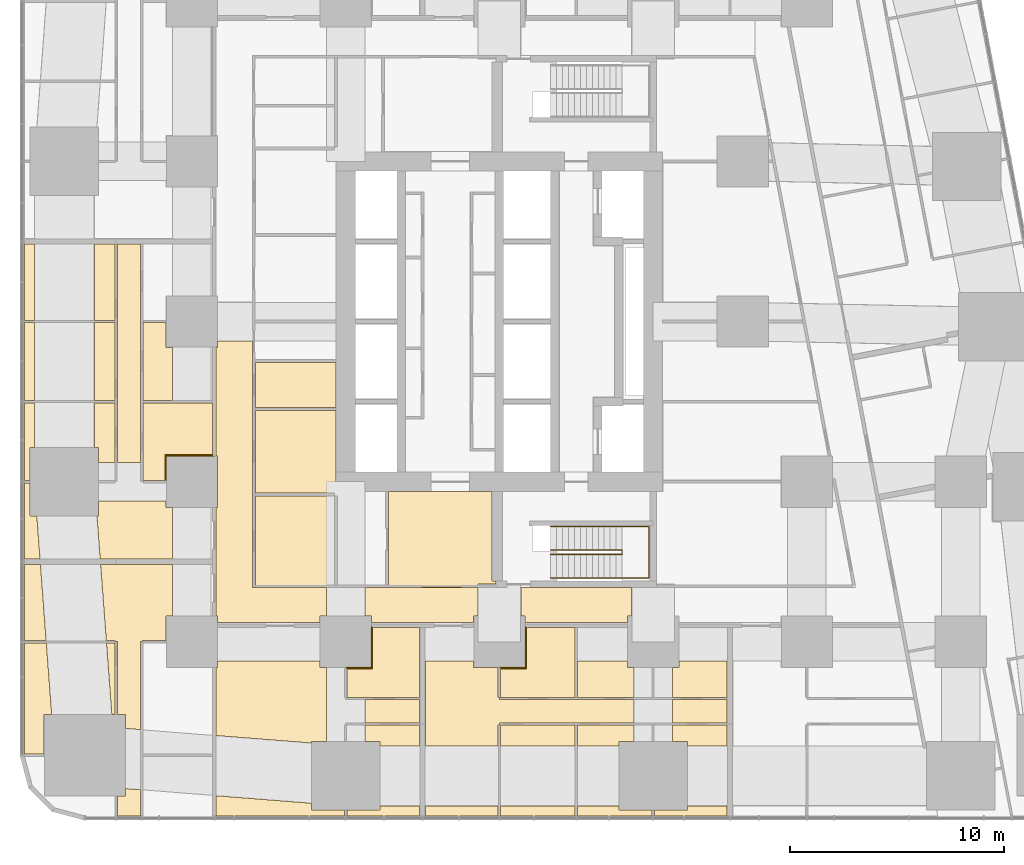
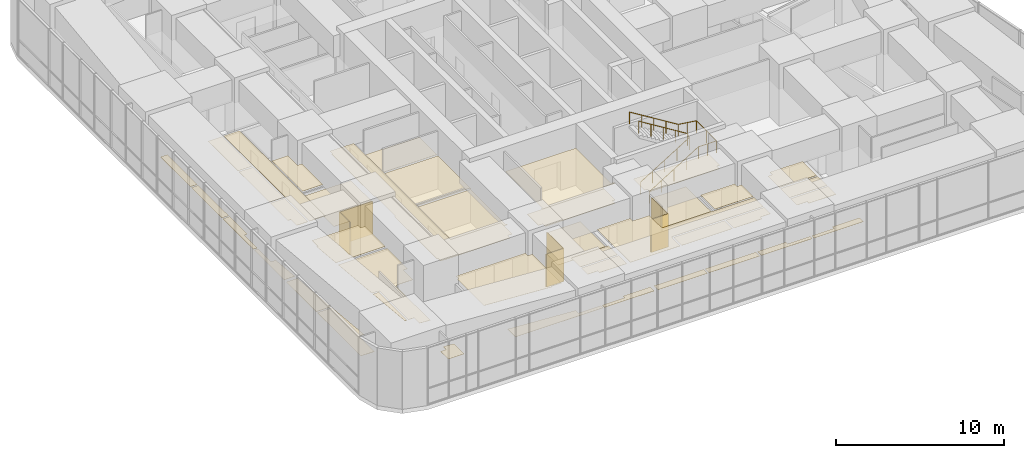
# One storey, part 21 of 23: 44 coverings, 2 railings.
"""IFC4 building model written with IfcOpenShell, lengths in metres."""

from ifc_helpers import new_model, si_unit, direction, frame, origin, origin_2d, place, context, subcontext, project, spatial, polyline, circle, outline, extrude, material, layer, layer_set, type_object, element, save


model = new_model("IFC4")

# Units and contexts
model_context = context("Model", 3, precision=1e-05, world=origin(), true_north=direction((0.0, 1.0)))
body_context = subcontext(model_context, "Body", "Model", "MODEL_VIEW")
ifc_project = project(units=[si_unit("LENGTHUNIT", "METRE"), si_unit("AREAUNIT", "SQUARE_METRE"), si_unit("VOLUMEUNIT", "CUBIC_METRE"), si_unit("PLANEANGLEUNIT", "RADIAN"), si_unit("MASSUNIT", "GRAM", prefix="KILO")], contexts=[model_context])

# Site, building, storey
site_placement = place(None, origin())
site = spatial("IfcSite", under=ifc_project, at=site_placement, CompositionType="ELEMENT")
building_placement = place(site_placement, origin())
building = spatial("IfcBuilding", under=site, at=building_placement, Name="Sheger Commons Tower", CompositionType="ELEMENT")
storey_placement = place(building_placement, frame((0.0, 0.0, 5.60009765625)))
storey = spatial("IfcBuildingStorey", under=building, at=storey_placement, Name="L01", CompositionType="ELEMENT", Elevation=5.60009765625)

# Railings
ifc_material_1 = material(Name="Steel handrail, black powder-coated", Category="steel")
railing_type = type_object("IfcRailingType", Name="HANDRAIL 900", PredefinedType="HANDRAIL", material=ifc_material_1)
railing_1_placement = place(storey_placement, frame((23.989990234375, 11.60009765625, 0.173095703125)))
element("IfcRailing", 1, at=railing_1_placement, inside=storey, type_object=railing_type, Name="Stair S1 handrail L01", PredefinedType="HANDRAIL", context=body_context, shape_type="SweptSolid", body=[
    extrude(circle(Radius=0.02392578125, at=origin_2d()), frame((0.0, 0.0, 0.8759765625), z_axis=(0.850623216509, 0.0, 0.525775754039), x_axis=(0.0, 1.0, 0.0)), (0.0, 0.0, 1.0), 3.9501953125),
    extrude(circle(Radius=0.02392578125, at=origin_2d()), frame((3.360107421875, 0.0, 2.95263671875), z_axis=(0.0, 0.756054473674, 0.654508695769), x_axis=(-1.0, 0.0, 0.0)), (0.0, 0.0, 1.0), 0.264404296875),
    extrude(circle(Radius=0.02392578125, at=origin_2d()), frame((3.360107421875, 0.199951171875, 3.1259765625), z_axis=(-0.850623216509, 0.0, 0.525775754039), x_axis=(0.0, -1.0, 0.0)), (0.0, 0.0, 1.0), 3.9501953125),
    extrude(circle(Radius=0.02099609375, at=origin_2d()), origin(), (0.0, 0.0, 1.0), 0.851806640625),
    extrude(circle(Radius=0.02099609375, at=origin_2d()), frame((0.840087890625, 0.0, 0.519287109375)), (0.0, 0.0, 1.0), 0.851806640625),
    extrude(circle(Radius=0.02099609375, at=origin_2d()), frame((1.68017578125, 0.0, 1.03857421875)), (0.0, 0.0, 1.0), 0.851806640625),
    extrude(circle(Radius=0.02099609375, at=origin_2d()), frame((2.52001953125, 0.0, 1.5576171875)), (0.0, 0.0, 1.0), 0.851806640625),
    extrude(circle(Radius=0.02099609375, at=origin_2d()), frame((3.360107421875, 0.0, 2.076904296875)), (0.0, 0.0, 1.0), 0.851806640625),
    extrude(circle(Radius=0.02099609375, at=origin_2d()), frame((3.360107421875, 0.199951171875, 2.25)), (0.0, 0.0, 1.0), 0.851806640625),
    extrude(circle(Radius=0.02099609375, at=origin_2d()), frame((2.52001953125, 0.199951171875, 2.769287109375)), (0.0, 0.0, 1.0), 0.851806640625),
    extrude(circle(Radius=0.02099609375, at=origin_2d()), frame((1.68017578125, 0.199951171875, 3.28857421875)), (0.0, 0.0, 1.0), 0.851806640625),
    extrude(circle(Radius=0.02099609375, at=origin_2d()), frame((0.840087890625, 0.199951171875, 3.8076171875)), (0.0, 0.0, 1.0), 0.851806640625),
    extrude(circle(Radius=0.02099609375, at=origin_2d()), frame((0.0, 0.199951171875, 4.326904296875)), (0.0, 0.0, 1.0), 0.851806640625),
])
railing_2_placement = place(storey_placement, frame((23.989990234375, 10.5, 0.173095703125)))
element("IfcRailing", 2, at=railing_2_placement, inside=storey, type_object=railing_type, Name="Stair S1 handrail L01", PredefinedType="HANDRAIL", context=body_context, shape_type="SweptSolid", body=[
    extrude(circle(Radius=0.02392578125, at=origin_2d()), frame((0.0, 0.0, 0.8759765625), z_axis=(0.850623216509, 0.0, 0.525775754039), x_axis=(0.0, 1.0, 0.0)), (0.0, 0.0, 1.0), 3.9501953125),
    extrude(circle(Radius=0.02392578125, at=origin_2d()), frame((3.360107421875, 0.0, 2.95263671875), z_axis=(1.0, 0.0, 0.0), x_axis=(0.0, 1.0, 0.0)), (0.0, 0.0, 1.0), 1.25),
    extrude(circle(Radius=0.02392578125, at=origin_2d()), frame((4.610107421875, 0.0, 2.95263671875), z_axis=(0.0, 1.0, 0.0), x_axis=(-1.0, 0.0, 0.0)), (0.0, 0.0, 1.0), 2.39990234375),
    extrude(circle(Radius=0.02392578125, at=origin_2d()), frame((4.610107421875, 2.39990234375, 2.95263671875), z_axis=(-0.990547844832, 0.0, 0.137167660544), x_axis=(0.0, -1.0, 0.0)), (0.0, 0.0, 1.0), 1.261962890625),
    extrude(circle(Radius=0.02392578125, at=origin_2d()), frame((3.360107421875, 2.39990234375, 3.1259765625), z_axis=(-0.850623216509, 0.0, 0.525775754039), x_axis=(0.0, -1.0, 0.0)), (0.0, 0.0, 1.0), 3.9501953125),
    extrude(circle(Radius=0.02099609375, at=origin_2d()), origin(), (0.0, 0.0, 1.0), 0.851806640625),
    extrude(circle(Radius=0.02099609375, at=origin_2d()), frame((0.840087890625, 0.0, 0.519287109375)), (0.0, 0.0, 1.0), 0.851806640625),
    extrude(circle(Radius=0.02099609375, at=origin_2d()), frame((1.68017578125, 0.0, 1.03857421875)), (0.0, 0.0, 1.0), 0.851806640625),
    extrude(circle(Radius=0.02099609375, at=origin_2d()), frame((2.52001953125, 0.0, 1.5576171875)), (0.0, 0.0, 1.0), 0.851806640625),
    extrude(circle(Radius=0.02099609375, at=origin_2d()), frame((3.360107421875, 0.0, 2.076904296875)), (0.0, 0.0, 1.0), 0.851806640625),
    extrude(circle(Radius=0.02099609375, at=origin_2d()), frame((3.985107421875, 0.0, 2.076904296875)), (0.0, 0.0, 1.0), 0.851806640625),
    extrude(circle(Radius=0.02099609375, at=origin_2d()), frame((4.610107421875, 0.0, 2.076904296875)), (0.0, 0.0, 1.0), 0.851806640625),
    extrude(circle(Radius=0.02099609375, at=origin_2d()), frame((4.610107421875, 1.199951171875, 2.076904296875)), (0.0, 0.0, 1.0), 0.851806640625),
    extrude(circle(Radius=0.02099609375, at=origin_2d()), frame((4.610107421875, 2.39990234375, 2.076904296875)), (0.0, 0.0, 1.0), 0.851806640625),
    extrude(circle(Radius=0.02099609375, at=origin_2d()), frame((3.985107421875, 2.39990234375, 2.16357421875)), (0.0, 0.0, 1.0), 0.851806640625),
    extrude(circle(Radius=0.02099609375, at=origin_2d()), frame((3.360107421875, 2.39990234375, 2.25)), (0.0, 0.0, 1.0), 0.851806640625),
    extrude(circle(Radius=0.02099609375, at=origin_2d()), frame((2.52001953125, 2.39990234375, 2.769287109375)), (0.0, 0.0, 1.0), 0.851806640625),
    extrude(circle(Radius=0.02099609375, at=origin_2d()), frame((1.68017578125, 2.39990234375, 3.28857421875)), (0.0, 0.0, 1.0), 0.851806640625),
    extrude(circle(Radius=0.02099609375, at=origin_2d()), frame((0.840087890625, 2.39990234375, 3.8076171875)), (0.0, 0.0, 1.0), 0.851806640625),
    extrude(circle(Radius=0.02099609375, at=origin_2d()), frame((0.0, 2.39990234375, 4.326904296875)), (0.0, 0.0, 1.0), 0.851806640625),
])

# Coverings
ifc_material_2 = material(Name="Moisture-resistant gypsum plasterboard 15 mm on a suspended galvanised steel grid", Category="steel")
ifc_layer_1 = layer(ifc_material_2, 0.014892578125)
ifc_layer_set_1 = layer_set([ifc_layer_1], Name="MOISTURE-RESISTANT CEILING 15")
covering_type_1 = type_object("IfcCoveringType", Name="MOISTURE-RESISTANT CEILING 15", PredefinedType="CEILING", material=ifc_layer_set_1)
covering_1_placement = place(storey_placement, frame((0.0, 0.0, 2.39990234375)))
element("IfcCovering", 3, at=covering_1_placement, inside=storey, type_object=covering_type_1, Name="L01-02.B1 ceiling", PredefinedType="CEILING", context=body_context, shape_type="SweptSolid", body=[
    extrude(outline(polyline([(4.905029296875, 15.054931640625), (5.9951171875, 15.054931640625), (5.9951171875, 16.205078125), (8.169921875, 16.205078125), (8.169921875, 18.695068359375), (4.905029296875, 18.695068359375), (4.905029296875, 15.054931640625)])), origin(), (0.0, 0.0, 1.0), 0.014892578125),
])
covering_2_placement = place(storey_placement, frame((0.0, 0.0, 2.39990234375)))
element("IfcCovering", 4, at=covering_2_placement, inside=storey, type_object=covering_type_1, Name="L01-04.B1 ceiling", PredefinedType="CEILING", context=body_context, shape_type="SweptSolid", body=[
    extrude(outline(polyline([(14.455078125, 4.905029296875), (17.8701171875, 4.905029296875), (17.8701171875, 8.169921875), (15.60498046875, 8.169921875), (15.60498046875, 6.294921875), (14.455078125, 6.294921875), (14.455078125, 4.905029296875)])), origin(), (0.0, 0.0, 1.0), 0.014892578125),
])
covering_3_placement = place(storey_placement, frame((0.0, 0.0, 2.39990234375)))
element("IfcCovering", 5, at=covering_3_placement, inside=storey, type_object=covering_type_1, Name="L01-05.B1 ceiling", PredefinedType="CEILING", context=body_context, shape_type="SweptSolid", body=[
    extrude(outline(polyline([(21.655029296875, 4.905029296875), (25.14501953125, 4.905029296875), (25.14501953125, 8.169921875), (22.804931640625, 8.169921875), (22.804931640625, 6.294921875), (21.655029296875, 6.294921875), (21.655029296875, 4.905029296875)])), origin(), (0.0, 0.0, 1.0), 0.014892578125),
])
covering_4_placement = place(storey_placement, frame((0.0, 0.0, 2.39990234375)))
element("IfcCovering", 6, at=covering_4_placement, inside=storey, type_object=covering_type_1, Name="L01-SVW0 ceiling", PredefinedType="CEILING", context=body_context, shape_type="SweptSolid", body=[
    extrude(outline(polyline([(10.16796875, 10.050048828125), (13.949951171875, 10.050048828125), (13.949951171875, 10.157958984375), (13.882080078125, 10.157958984375), (13.882080078125, 14.33203125), (10.16796875, 14.33203125), (10.16796875, 10.050048828125)])), origin(), (0.0, 0.0, 1.0), 0.014892578125),
])
covering_5_placement = place(storey_placement, frame((0.0, 0.0, 2.39990234375)))
element("IfcCovering", 7, at=covering_5_placement, inside=storey, type_object=covering_type_1, Name="L01-SVW1 ceiling", PredefinedType="CEILING", context=body_context, shape_type="SweptSolid", body=[
    extrude(outline(polyline([(13.89306640625, 14.39990234375), (13.949951171875, 14.39990234375), (13.949951171875, 14.544921875), (13.945068359375, 14.544921875), (13.945068359375, 15.455078125), (13.949951171875, 15.455078125), (13.949951171875, 18.33203125), (10.16796875, 18.33203125), (10.16796875, 14.468017578125), (13.89306640625, 14.468017578125), (13.89306640625, 14.39990234375)])), origin(), (0.0, 0.0, 1.0), 0.014892578125),
])
covering_6_placement = place(storey_placement, frame((0.0, 0.0, 2.39990234375)))
element("IfcCovering", 8, at=covering_6_placement, inside=storey, type_object=covering_type_1, Name="L01-SVW1b ceiling", PredefinedType="CEILING", context=body_context, shape_type="SweptSolid", body=[
    extrude(outline(polyline([(10.16796875, 18.467041015625), (13.949951171875, 18.467041015625), (13.949951171875, 20.58203125), (10.16796875, 20.58203125), (10.16796875, 18.467041015625)])), origin(), (0.0, 0.0, 1.0), 0.014892578125),
])
ifc_material_3 = material(Name="Gypsum plasterboard 15 mm on a suspended steel grid", Category="steel")
ifc_layer_2 = layer(ifc_material_3, 0.014892578125)
ifc_layer_set_2 = layer_set([ifc_layer_2], Name="SUSPENDED CEILING 15")
covering_type_2 = type_object("IfcCoveringType", Name="SUSPENDED CEILING 15", PredefinedType="CEILING", material=ifc_layer_set_2)
covering_7_placement = place(storey_placement, frame((0.0, 0.0, 2.699951171875)))
element("IfcCovering", 9, at=covering_7_placement, inside=storey, type_object=covering_type_2, Name="L01-01.1 ceiling", PredefinedType="CEILING", context=body_context, shape_type="SweptSolid", body=[
    extrude(outline(polyline([(3.705078125, -0.64501953125), (4.794921875, -0.64501953125), (4.794921875, 0.571044921875), (4.091064453125, 0.626953125), (4.091064453125, 0.281005859375), (3.705078125, 0.281005859375), (3.705078125, -0.64501953125)])), origin(), (0.0, 0.0, 1.0), 0.014892578125),
])
covering_8_placement = place(storey_placement, frame((0.0, 0.0, 2.699951171875)))
element("IfcCovering", 10, at=covering_8_placement, inside=storey, type_object=covering_type_2, Name="L01-01.1 ceiling", PredefinedType="CEILING", context=body_context, shape_type="SweptSolid", body=[
    extrude(outline(polyline([(4.794921875, 3.389892578125), (4.794921875, 7.5048828125), (4.89501953125, 7.5048828125), (4.89501953125, 7.554931640625), (5.9951171875, 7.554931640625), (5.9951171875, 8.705078125), (6.294921875, 8.705078125), (6.294921875, 11.1201171875), (2.925048828125, 11.1201171875), (3.19189453125, 7.554931640625), (3.60498046875, 7.554931640625), (3.60498046875, 7.5048828125), (3.705078125, 7.5048828125), (3.705078125, 4.091064453125), (4.091064453125, 4.091064453125), (4.091064453125, 3.445068359375), (4.794921875, 3.389892578125)])), origin(), (0.0, 0.0, 1.0), 0.014892578125),
])
covering_9_placement = place(storey_placement, frame((0.0, 0.0, 2.699951171875)))
element("IfcCovering", 11, at=covering_9_placement, inside=storey, type_object=covering_type_2, Name="L01-01.1 ceiling", PredefinedType="CEILING", context=body_context, shape_type="SweptSolid", body=[
    extrude(outline(polyline([(-0.64501953125, 7.554931640625), (0.3740234375, 7.554931640625), (0.10693359375, 11.1201171875), (-0.64501953125, 11.1201171875), (-0.64501953125, 7.554931640625)])), origin(), (0.0, 0.0, 1.0), 0.014892578125),
])
covering_10_placement = place(storey_placement, frame((0.0, 0.0, 2.699951171875)))
element("IfcCovering", 12, at=covering_10_placement, inside=storey, type_object=covering_type_2, Name="L01-01.2 ceiling", PredefinedType="CEILING", context=body_context, shape_type="SweptSolid", body=[
    extrude(outline(polyline([(-0.64501953125, 2.240966796875), (0.281005859375, 2.240966796875), (0.281005859375, 4.091064453125), (0.634033203125, 4.091064453125), (0.383056640625, 7.445068359375), (-0.64501953125, 7.445068359375), (-0.64501953125, 2.240966796875)])), origin(), (0.0, 0.0, 1.0), 0.014892578125),
])
covering_11_placement = place(storey_placement, frame((0.0, 0.0, 2.699951171875)))
element("IfcCovering", 13, at=covering_11_placement, inside=storey, type_object=covering_type_2, Name="L01-01.2 ceiling", PredefinedType="CEILING", context=body_context, shape_type="SweptSolid", body=[
    extrude(outline(polyline([(3.451904296875, 4.091064453125), (3.594970703125, 4.091064453125), (3.594970703125, 7.445068359375), (3.200927734375, 7.445068359375), (3.451904296875, 4.091064453125)])), origin(), (0.0, 0.0, 1.0), 0.014892578125),
])
covering_12_placement = place(storey_placement, frame((0.0, 0.0, 2.699951171875)))
element("IfcCovering", 14, at=covering_12_placement, inside=storey, type_object=covering_type_2, Name="L01-02.1 ceiling", PredefinedType="CEILING", context=body_context, shape_type="SweptSolid", body=[
    extrude(outline(polyline([(-0.64501953125, 11.3798828125), (0.087890625, 11.3798828125), (-0.06396484375, 13.39501953125), (-0.3798828125, 13.39501953125), (-0.3798828125, 14.945068359375), (-0.64501953125, 14.945068359375), (-0.64501953125, 11.3798828125)])), origin(), (0.0, 0.0, 1.0), 0.014892578125),
])
covering_13_placement = place(storey_placement, frame((0.0, 0.0, 2.699951171875)))
element("IfcCovering", 15, at=covering_13_placement, inside=storey, type_object=covering_type_2, Name="L01-02.1 ceiling", PredefinedType="CEILING", context=body_context, shape_type="SweptSolid", body=[
    extrude(outline(polyline([(2.905029296875, 11.3798828125), (6.294921875, 11.3798828125), (6.294921875, 13.794921875), (5.9951171875, 13.794921875), (5.9951171875, 14.094970703125), (2.830078125, 14.094970703125), (2.830078125, 13.39501953125), (2.75390625, 13.39501953125), (2.905029296875, 11.3798828125)])), origin(), (0.0, 0.0, 1.0), 0.014892578125),
])
covering_14_placement = place(storey_placement, frame((0.0, 0.0, 2.699951171875)))
element("IfcCovering", 16, at=covering_14_placement, inside=storey, type_object=covering_type_2, Name="L01-02.1 ceiling", PredefinedType="CEILING", context=body_context, shape_type="SweptSolid", body=[
    extrude(outline(polyline([(3.705078125, 15.905029296875), (4.794921875, 15.905029296875), (4.794921875, 26.1201171875), (3.705078125, 26.1201171875), (3.705078125, 15.905029296875)])), origin(), (0.0, 0.0, 1.0), 0.014892578125),
])
covering_15_placement = place(storey_placement, frame((0.0, 0.0, 2.699951171875)))
element("IfcCovering", 17, at=covering_15_placement, inside=storey, type_object=covering_type_2, Name="L01-02.2 ceiling", PredefinedType="CEILING", context=body_context, shape_type="SweptSolid", body=[
    extrude(outline(polyline([(-0.64501953125, 15.054931640625), (-0.3798828125, 15.054931640625), (-0.3798828125, 16.60498046875), (-0.179931640625, 16.60498046875), (-0.179931640625, 18.695068359375), (-0.64501953125, 18.695068359375), (-0.64501953125, 15.054931640625)])), origin(), (0.0, 0.0, 1.0), 0.014892578125),
])
covering_16_placement = place(storey_placement, frame((0.0, 0.0, 2.699951171875)))
element("IfcCovering", 18, at=covering_16_placement, inside=storey, type_object=covering_type_2, Name="L01-02.2 ceiling", PredefinedType="CEILING", context=body_context, shape_type="SweptSolid", body=[
    extrude(outline(polyline([(2.830078125, 15.905029296875), (3.594970703125, 15.905029296875), (3.594970703125, 18.695068359375), (2.6298828125, 18.695068359375), (2.6298828125, 16.60498046875), (2.830078125, 16.60498046875), (2.830078125, 15.905029296875)])), origin(), (0.0, 0.0, 1.0), 0.014892578125),
])
covering_17_placement = place(storey_placement, frame((0.0, 0.0, 2.699951171875)))
element("IfcCovering", 19, at=covering_17_placement, inside=storey, type_object=covering_type_2, Name="L01-02.3 ceiling", PredefinedType="CEILING", context=body_context, shape_type="SweptSolid", body=[
    extrude(outline(polyline([(-0.64501953125, 18.804931640625), (-0.179931640625, 18.804931640625), (-0.179931640625, 22.445068359375), (-0.64501953125, 22.445068359375), (-0.64501953125, 18.804931640625)])), origin(), (0.0, 0.0, 1.0), 0.014892578125),
])
covering_18_placement = place(storey_placement, frame((0.0, 0.0, 2.699951171875)))
element("IfcCovering", 20, at=covering_18_placement, inside=storey, type_object=covering_type_2, Name="L01-02.3 ceiling", PredefinedType="CEILING", context=body_context, shape_type="SweptSolid", body=[
    extrude(outline(polyline([(2.6298828125, 18.804931640625), (3.594970703125, 18.804931640625), (3.594970703125, 22.445068359375), (2.6298828125, 22.445068359375), (2.6298828125, 18.804931640625)])), origin(), (0.0, 0.0, 1.0), 0.014892578125),
])
covering_19_placement = place(storey_placement, frame((0.0, 0.0, 2.699951171875)))
element("IfcCovering", 21, at=covering_19_placement, inside=storey, type_object=covering_type_2, Name="L01-02.4 ceiling", PredefinedType="CEILING", context=body_context, shape_type="SweptSolid", body=[
    extrude(outline(polyline([(-0.64501953125, 22.554931640625), (-0.179931640625, 22.554931640625), (-0.179931640625, 26.1201171875), (-0.64501953125, 26.1201171875), (-0.64501953125, 22.554931640625)])), origin(), (0.0, 0.0, 1.0), 0.014892578125),
])
covering_20_placement = place(storey_placement, frame((0.0, 0.0, 2.699951171875)))
element("IfcCovering", 22, at=covering_20_placement, inside=storey, type_object=covering_type_2, Name="L01-02.4 ceiling", PredefinedType="CEILING", context=body_context, shape_type="SweptSolid", body=[
    extrude(outline(polyline([(2.6298828125, 22.554931640625), (3.594970703125, 22.554931640625), (3.594970703125, 26.1201171875), (2.6298828125, 26.1201171875), (2.6298828125, 22.554931640625)])), origin(), (0.0, 0.0, 1.0), 0.014892578125),
])
covering_21_placement = place(storey_placement, frame((0.0, 0.0, 2.699951171875)))
element("IfcCovering", 23, at=covering_21_placement, inside=storey, type_object=covering_type_2, Name="L01-02.B2 ceiling", PredefinedType="CEILING", context=body_context, shape_type="SweptSolid", body=[
    extrude(outline(polyline([(4.905029296875, 18.804931640625), (6.294921875, 18.804931640625), (6.294921875, 21.294921875), (5.9951171875, 21.294921875), (5.9951171875, 22.445068359375), (4.905029296875, 22.445068359375), (4.905029296875, 18.804931640625)])), origin(), (0.0, 0.0, 1.0), 0.014892578125),
])
covering_22_placement = place(storey_placement, frame((0.0, 0.0, 2.699951171875)))
element("IfcCovering", 24, at=covering_22_placement, inside=storey, type_object=covering_type_2, Name="L01-04.1 ceiling", PredefinedType="CEILING", context=body_context, shape_type="SweptSolid", body=[
    extrude(outline(polyline([(8.330078125, -0.64501953125), (14.344970703125, -0.64501953125), (14.344970703125, -0.3798828125), (12.794921875, -0.3798828125), (12.794921875, -0.05810546875), (8.330078125, 0.29296875), (8.330078125, -0.64501953125)])), origin(), (0.0, 0.0, 1.0), 0.014892578125),
])
covering_23_placement = place(storey_placement, frame((0.0, 0.0, 2.699951171875)))
element("IfcCovering", 25, at=covering_23_placement, inside=storey, type_object=covering_type_2, Name="L01-04.1 ceiling", PredefinedType="CEILING", context=body_context, shape_type="SweptSolid", body=[
    extrude(outline(polyline([(12.794921875, 2.760986328125), (12.794921875, 2.830078125), (13.4951171875, 2.830078125), (13.4951171875, 6.294921875), (13.195068359375, 6.294921875), (13.195068359375, 6.594970703125), (8.405029296875, 6.594970703125), (8.405029296875, 6.294921875), (8.330078125, 6.294921875), (8.330078125, 3.112060546875), (12.794921875, 2.760986328125)])), origin(), (0.0, 0.0, 1.0), 0.014892578125),
])
covering_24_placement = place(storey_placement, frame((0.0, 0.0, 2.699951171875)))
element("IfcCovering", 26, at=covering_24_placement, inside=storey, type_object=covering_type_2, Name="L01-04.1 ceiling", PredefinedType="CEILING", context=body_context, shape_type="SweptSolid", body=[
    extrude(outline(polyline([(15.304931640625, 3.705078125), (17.8701171875, 3.705078125), (17.8701171875, 4.794921875), (15.304931640625, 4.794921875), (15.304931640625, 3.705078125)])), origin(), (0.0, 0.0, 1.0), 0.014892578125),
])
covering_25_placement = place(storey_placement, frame((0.0, 0.0, 2.699951171875)))
element("IfcCovering", 27, at=covering_25_placement, inside=storey, type_object=covering_type_2, Name="L01-04.2 ceiling", PredefinedType="CEILING", context=body_context, shape_type="SweptSolid", body=[
    extrude(outline(polyline([(14.455078125, -0.64501953125), (17.8701171875, -0.64501953125), (17.8701171875, -0.179931640625), (16.0048828125, -0.179931640625), (16.0048828125, -0.3798828125), (14.455078125, -0.3798828125), (14.455078125, -0.64501953125)])), origin(), (0.0, 0.0, 1.0), 0.014892578125),
])
covering_26_placement = place(storey_placement, frame((0.0, 0.0, 2.699951171875)))
element("IfcCovering", 28, at=covering_26_placement, inside=storey, type_object=covering_type_2, Name="L01-04.2 ceiling", PredefinedType="CEILING", context=body_context, shape_type="SweptSolid", body=[
    extrude(outline(polyline([(16.0048828125, 2.6298828125), (17.8701171875, 2.6298828125), (17.8701171875, 3.594970703125), (15.304931640625, 3.594970703125), (15.304931640625, 2.830078125), (16.0048828125, 2.830078125), (16.0048828125, 2.6298828125)])), origin(), (0.0, 0.0, 1.0), 0.014892578125),
])
covering_27_placement = place(storey_placement, frame((0.0, 0.0, 2.699951171875)))
element("IfcCovering", 29, at=covering_27_placement, inside=storey, type_object=covering_type_2, Name="L01-05.1 ceiling", PredefinedType="CEILING", context=body_context, shape_type="SweptSolid", body=[
    extrude(outline(polyline([(18.1298828125, -0.64501953125), (21.544921875, -0.64501953125), (21.544921875, -0.179931640625), (18.1298828125, -0.179931640625), (18.1298828125, -0.64501953125)])), origin(), (0.0, 0.0, 1.0), 0.014892578125),
])
covering_28_placement = place(storey_placement, frame((0.0, 0.0, 2.699951171875)))
element("IfcCovering", 30, at=covering_28_placement, inside=storey, type_object=covering_type_2, Name="L01-05.1 ceiling", PredefinedType="CEILING", context=body_context, shape_type="SweptSolid", body=[
    extrude(outline(polyline([(18.1298828125, 2.6298828125), (21.544921875, 2.6298828125), (21.544921875, 3.60498046875), (21.594970703125, 3.60498046875), (21.594970703125, 3.705078125), (27.89501953125, 3.705078125), (27.89501953125, 4.794921875), (21.594970703125, 4.794921875), (21.594970703125, 4.89501953125), (21.544921875, 4.89501953125), (21.544921875, 6.294921875), (20.39501953125, 6.294921875), (20.39501953125, 6.594970703125), (18.1298828125, 6.594970703125), (18.1298828125, 2.6298828125)])), origin(), (0.0, 0.0, 1.0), 0.014892578125),
])
covering_29_placement = place(storey_placement, frame((0.0, 0.0, 2.699951171875)))
element("IfcCovering", 31, at=covering_29_placement, inside=storey, type_object=covering_type_2, Name="L01-05.1 ceiling", PredefinedType="CEILING", context=body_context, shape_type="SweptSolid", body=[
    extrude(outline(polyline([(29.705078125, 3.705078125), (32.27001953125, 3.705078125), (32.27001953125, 4.794921875), (29.705078125, 4.794921875), (29.705078125, 3.705078125)])), origin(), (0.0, 0.0, 1.0), 0.014892578125),
])
covering_30_placement = place(storey_placement, frame((0.0, 0.0, 2.699951171875)))
element("IfcCovering", 32, at=covering_30_placement, inside=storey, type_object=covering_type_2, Name="L01-05.2 ceiling", PredefinedType="CEILING", context=body_context, shape_type="SweptSolid", body=[
    extrude(outline(polyline([(21.655029296875, -0.64501953125), (25.14501953125, -0.64501953125), (25.14501953125, -0.179931640625), (21.655029296875, -0.179931640625), (21.655029296875, -0.64501953125)])), origin(), (0.0, 0.0, 1.0), 0.014892578125),
])
covering_31_placement = place(storey_placement, frame((0.0, 0.0, 2.699951171875)))
element("IfcCovering", 33, at=covering_31_placement, inside=storey, type_object=covering_type_2, Name="L01-05.2 ceiling", PredefinedType="CEILING", context=body_context, shape_type="SweptSolid", body=[
    extrude(outline(polyline([(21.655029296875, 2.6298828125), (25.14501953125, 2.6298828125), (25.14501953125, 3.594970703125), (21.655029296875, 3.594970703125), (21.655029296875, 2.6298828125)])), origin(), (0.0, 0.0, 1.0), 0.014892578125),
])
covering_32_placement = place(storey_placement, frame((0.0, 0.0, 2.699951171875)))
element("IfcCovering", 34, at=covering_32_placement, inside=storey, type_object=covering_type_2, Name="L01-05.3 ceiling", PredefinedType="CEILING", context=body_context, shape_type="SweptSolid", body=[
    extrude(outline(polyline([(25.2548828125, -0.64501953125), (28.7451171875, -0.64501953125), (28.7451171875, -0.3798828125), (27.195068359375, -0.3798828125), (27.195068359375, -0.179931640625), (25.2548828125, -0.179931640625), (25.2548828125, -0.64501953125)])), origin(), (0.0, 0.0, 1.0), 0.014892578125),
])
covering_33_placement = place(storey_placement, frame((0.0, 0.0, 2.699951171875)))
element("IfcCovering", 35, at=covering_33_placement, inside=storey, type_object=covering_type_2, Name="L01-05.3 ceiling", PredefinedType="CEILING", context=body_context, shape_type="SweptSolid", body=[
    extrude(outline(polyline([(25.2548828125, 2.6298828125), (27.195068359375, 2.6298828125), (27.195068359375, 2.830078125), (27.89501953125, 2.830078125), (27.89501953125, 3.594970703125), (25.2548828125, 3.594970703125), (25.2548828125, 2.6298828125)])), origin(), (0.0, 0.0, 1.0), 0.014892578125),
])
covering_34_placement = place(storey_placement, frame((0.0, 0.0, 2.699951171875)))
element("IfcCovering", 36, at=covering_34_placement, inside=storey, type_object=covering_type_2, Name="L01-05.4 ceiling", PredefinedType="CEILING", context=body_context, shape_type="SweptSolid", body=[
    extrude(outline(polyline([(28.85498046875, -0.64501953125), (32.27001953125, -0.64501953125), (32.27001953125, -0.179931640625), (30.405029296875, -0.179931640625), (30.405029296875, -0.3798828125), (28.85498046875, -0.3798828125), (28.85498046875, -0.64501953125)])), origin(), (0.0, 0.0, 1.0), 0.014892578125),
])
covering_35_placement = place(storey_placement, frame((0.0, 0.0, 2.699951171875)))
element("IfcCovering", 37, at=covering_35_placement, inside=storey, type_object=covering_type_2, Name="L01-05.4 ceiling", PredefinedType="CEILING", context=body_context, shape_type="SweptSolid", body=[
    extrude(outline(polyline([(30.405029296875, 2.6298828125), (32.27001953125, 2.6298828125), (32.27001953125, 3.594970703125), (29.705078125, 3.594970703125), (29.705078125, 2.830078125), (30.405029296875, 2.830078125), (30.405029296875, 2.6298828125)])), origin(), (0.0, 0.0, 1.0), 0.014892578125),
])
covering_36_placement = place(storey_placement, frame((0.0, 0.0, 2.699951171875)))
element("IfcCovering", 38, at=covering_36_placement, inside=storey, type_object=covering_type_2, Name="L01-05.B2 ceiling", PredefinedType="CEILING", context=body_context, shape_type="SweptSolid", body=[
    extrude(outline(polyline([(25.2548828125, 4.905029296875), (27.89501953125, 4.905029296875), (27.89501953125, 6.294921875), (27.594970703125, 6.294921875), (27.594970703125, 6.594970703125), (25.2548828125, 6.594970703125), (25.2548828125, 4.905029296875)])), origin(), (0.0, 0.0, 1.0), 0.014892578125),
])
covering_37_placement = place(storey_placement, frame((0.0, 0.0, 2.699951171875)))
element("IfcCovering", 39, at=covering_37_placement, inside=storey, type_object=covering_type_2, Name="L01-05.B3 ceiling", PredefinedType="CEILING", context=body_context, shape_type="SweptSolid", body=[
    extrude(outline(polyline([(29.705078125, 4.905029296875), (32.27001953125, 4.905029296875), (32.27001953125, 6.594970703125), (30.0048828125, 6.594970703125), (30.0048828125, 6.294921875), (29.705078125, 6.294921875), (29.705078125, 4.905029296875)])), origin(), (0.0, 0.0, 1.0), 0.014892578125),
])
covering_38_placement = place(storey_placement, frame((0.0, 0.0, 2.699951171875)))
element("IfcCovering", 40, at=covering_38_placement, inside=storey, type_object=covering_type_2, Name="L01-CO ceiling", PredefinedType="CEILING", context=body_context, shape_type="SweptSolid", body=[
    extrude(outline(polyline([(8.405029296875, 8.405029296875), (13.195068359375, 8.405029296875), (13.195068359375, 8.705078125), (13.4951171875, 8.705078125), (13.4951171875, 10.050048828125), (10.16796875, 10.050048828125), (10.16796875, 10.044921875), (10.031982421875, 10.044921875), (10.031982421875, 21.594970703125), (8.405029296875, 21.594970703125), (8.405029296875, 21.294921875), (8.330078125, 21.294921875), (8.330078125, 16.205078125), (8.405029296875, 16.205078125), (8.405029296875, 13.794921875), (8.330078125, 13.794921875), (8.330078125, 8.705078125), (8.405029296875, 8.705078125), (8.405029296875, 8.405029296875)])), origin(), (0.0, 0.0, 1.0), 0.014892578125),
])
covering_39_placement = place(storey_placement, frame((0.0, 0.0, 2.699951171875)))
element("IfcCovering", 41, at=covering_39_placement, inside=storey, type_object=covering_type_2, Name="L01-CO ceiling", PredefinedType="CEILING", context=body_context, shape_type="SweptSolid", body=[
    extrude(outline(polyline([(15.60498046875, 8.405029296875), (20.39501953125, 8.405029296875), (20.39501953125, 8.705078125), (20.594970703125, 8.705078125), (20.594970703125, 10.050048828125), (15.304931640625, 10.050048828125), (15.304931640625, 8.705078125), (15.60498046875, 8.705078125), (15.60498046875, 8.405029296875)])), origin(), (0.0, 0.0, 1.0), 0.014892578125),
])
covering_40_placement = place(storey_placement, frame((0.0, 0.0, 2.699951171875)))
element("IfcCovering", 42, at=covering_40_placement, inside=storey, type_object=covering_type_2, Name="L01-CO ceiling", PredefinedType="CEILING", context=body_context, shape_type="SweptSolid", body=[
    extrude(outline(polyline([(22.804931640625, 8.405029296875), (27.594970703125, 8.405029296875), (27.594970703125, 8.705078125), (27.794921875, 8.705078125), (27.794921875, 10.044921875), (22.60498046875, 10.044921875), (22.60498046875, 8.705078125), (22.804931640625, 8.705078125), (22.804931640625, 8.405029296875)])), origin(), (0.0, 0.0, 1.0), 0.014892578125),
])
covering_41_placement = place(storey_placement, frame((0.0, 0.0, 2.699951171875)))
element("IfcCovering", 43, at=covering_41_placement, inside=storey, type_object=covering_type_2, Name="L01-SVS1 ceiling", PredefinedType="CEILING", context=body_context, shape_type="SweptSolid", body=[
    extrude(outline(polyline([(16.340087890625, 10.050048828125), (20.594970703125, 10.050048828125), (20.594970703125, 10.205078125), (21.445068359375, 10.205078125), (21.445068359375, 10.344970703125), (21.2451171875, 10.344970703125), (21.2451171875, 14.544921875), (16.406982421875, 14.544921875), (16.406982421875, 10.157958984375), (16.340087890625, 10.157958984375), (16.340087890625, 10.050048828125)])), origin(), (0.0, 0.0, 1.0), 0.014892578125),
])
ifc_material_4 = material(Name="Moisture-resistant gypsum board 12.5 mm on 25 mm treated timber battens, tanked and tiled", Category="wood")
ifc_layer_3 = layer(ifc_material_4, 0.050048828125)
ifc_layer_set_3 = layer_set([ifc_layer_3], Name="WET-ROOM COLUMN LINING")
covering_type_3 = type_object("IfcCoveringType", Name="WET-ROOM COLUMN LINING", PredefinedType="CLADDING", material=ifc_layer_set_3)
covering_42_placement = place(storey_placement, origin())
element("IfcCovering", 44, at=covering_42_placement, inside=storey, type_object=covering_type_3, Name="Patient WC column lining C5 L01", PredefinedType="CLADDING", context=body_context, shape_type="SweptSolid", body=[
    extrude(outline(polyline([(14.449951171875, 6.25), (14.449951171875, 6.299072265625), (14.39990234375, 6.299072265625), (14.39990234375, 6.300048828125), (15.60009765625, 6.300048828125), (15.60009765625, 8.25), (15.60107421875, 8.25), (15.60107421875, 8.175048828125), (15.64990234375, 8.175048828125), (15.64990234375, 6.25), (14.449951171875, 6.25)])), origin(), (0.0, 0.0, 1.0), 2.39990234375),
])
covering_43_placement = place(storey_placement, origin())
element("IfcCovering", 45, at=covering_43_placement, inside=storey, type_object=covering_type_3, Name="Patient WC column lining C5 L01", PredefinedType="CLADDING", context=body_context, shape_type="SweptSolid", body=[
    extrude(outline(polyline([(21.64990234375, 6.25), (21.64990234375, 6.299072265625), (21.60009765625, 6.299072265625), (21.60009765625, 6.300048828125), (22.800048828125, 6.300048828125), (22.800048828125, 8.25), (22.801025390625, 8.25), (22.801025390625, 8.175048828125), (22.85009765625, 8.175048828125), (22.85009765625, 6.25), (21.64990234375, 6.25)])), origin(), (0.0, 0.0, 1.0), 2.39990234375),
])
covering_44_placement = place(storey_placement, origin())
element("IfcCovering", 46, at=covering_44_placement, inside=storey, type_object=covering_type_3, Name="Patient WC column lining C5 L01", PredefinedType="CLADDING", context=body_context, shape_type="SweptSolid", body=[
    extrude(outline(polyline([(8.175048828125, 16.25), (8.175048828125, 16.200927734375), (8.25, 16.200927734375), (8.25, 16.199951171875), (6.0, 16.199951171875), (6.0, 15.0), (5.9990234375, 15.0), (5.9990234375, 15.050048828125), (5.949951171875, 15.050048828125), (5.949951171875, 16.25), (8.175048828125, 16.25)])), origin(), (0.0, 0.0, 1.0), 2.39990234375),
])

save(model, "model.ifc")
